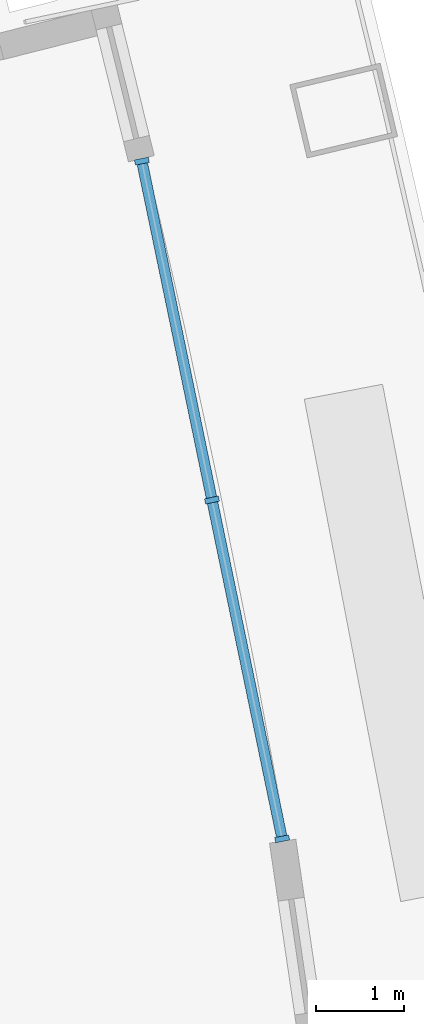
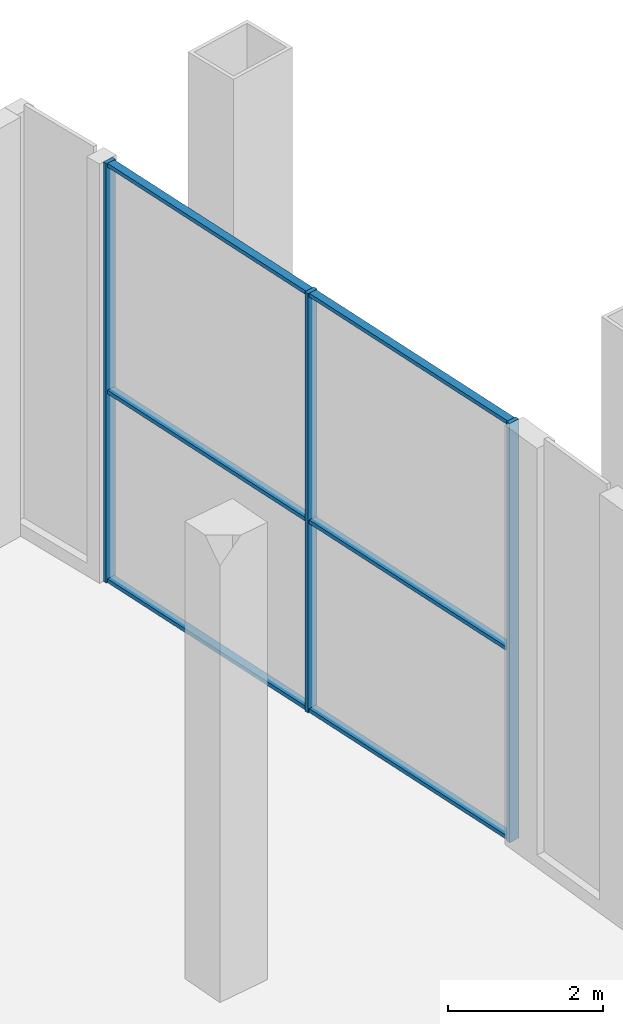
# One storey, part 11 of 24: 9 members, 1 element without a shape of its own.
"""IFC4 building model written with IfcOpenShell, lengths in metres."""

from ifc_helpers import new_model, si_unit, direction, frame, origin, origin_2d, place, context, subcontext, project, spatial, rectangle, extrude, material, layer, layer_set, material_profile, profile_set, type_object, element, aggregate, save


model = new_model("IFC4")

# Units and contexts
model_context = context("Model", 3, precision=1e-05, world=origin(), true_north=direction((0.0, 1.0)))
body_context = subcontext(model_context, "Body", "Model", "MODEL_VIEW")
ifc_project = project(units=[si_unit("LENGTHUNIT", "METRE"), si_unit("AREAUNIT", "SQUARE_METRE"), si_unit("VOLUMEUNIT", "CUBIC_METRE"), si_unit("PLANEANGLEUNIT", "RADIAN"), si_unit("MASSUNIT", "GRAM", prefix="KILO")], contexts=[model_context])

# Site, building, storey
site_placement = place(None, origin())
site = spatial("IfcSite", under=ifc_project, at=site_placement, CompositionType="ELEMENT")
building_placement = place(site_placement, origin())
building = spatial("IfcBuilding", under=site, at=building_placement, Name="Alderwake Tower", CompositionType="ELEMENT")
storey_placement = place(building_placement, frame((0.0, 0.0, 232.39990234375)))
storey = spatial("IfcBuildingStorey", under=building, at=storey_placement, Name="L58", CompositionType="ELEMENT", Elevation=232.39990234375)

# Curtain wall, members
ifc_material_1 = material(Name="Bronze tinted glass in aluminium frame", Category="aluminium")
ifc_layer = layer(ifc_material_1, 0.199951171875)
ifc_layer_set = layer_set([ifc_layer], Name="Curtain wall CW3 sky garden glazing")
curtain_wall_type = type_object("IfcCurtainWallType", Name="Curtain wall CW3 sky garden glazing", PredefinedType="NOTDEFINED", material=ifc_layer_set)
curtain_wall_placement = place(storey_placement, origin())
curtain_wall = element("IfcCurtainWall", 1, at=curtain_wall_placement, inside=storey, type_object=curtain_wall_type, Name="Curtain wall 7", PredefinedType="NOTDEFINED")
ifc_material_2 = material(Name="Aluminium bronze anodised", Category="aluminium")
ifc_material_profile_1 = material_profile(ifc_material_2, rectangle(XDim=0.159912109375, YDim=0.06005859375, at=origin_2d()), Name="Mullion MUC 60x160")
ifc_profile_set_1 = profile_set([ifc_material_profile_1], Name="Aluminium bronze anodised")
member_type_1 = type_object("IfcMemberType", Name="Mullion MUC 60x160", PredefinedType="MULLION", material=ifc_profile_set_1)
member_1_placement = place(storey_placement, frame((52.9814453125, 84.541259765625, 0.0), z_axis=(0.0, 0.0, 1.0), x_axis=(-0.979228543128, -0.202759612163, 0.0)))
member_1 = element("IfcMember", 2, at=member_1_placement, type_object=member_type_1, Name="CW.07 mullion 1", PredefinedType="MULLION", context=body_context, shape_type="SweptSolid", body=[
    extrude(rectangle(XDim=0.159912109375, YDim=0.06005859375, at=origin_2d()), origin(), (0.0, 0.0, 1.0), 6.60009765625),
])
member_2_placement = place(storey_placement, frame((52.188720703125, 88.369873046875, 0.0), z_axis=(0.0, 0.0, 1.0), x_axis=(-0.979228543128, -0.202759612163, 0.0)))
member_2 = element("IfcMember", 3, at=member_2_placement, type_object=member_type_1, Name="CW.07 mullion 2", PredefinedType="MULLION", context=body_context, shape_type="SweptSolid", body=[
    extrude(rectangle(XDim=0.159912109375, YDim=0.06005859375, at=origin_2d()), origin(), (0.0, 0.0, 1.0), 6.60009765625),
])
member_3_placement = place(storey_placement, frame((51.39599609375, 92.19873046875, 0.0), z_axis=(0.0, 0.0, 1.0), x_axis=(-0.979228543128, -0.202759612163, 0.0)))
member_3 = element("IfcMember", 4, at=member_3_placement, type_object=member_type_1, Name="CW.07 mullion 3", PredefinedType="MULLION", context=body_context, shape_type="SweptSolid", body=[
    extrude(rectangle(XDim=0.159912109375, YDim=0.06005859375, at=origin_2d()), origin(), (0.0, 0.0, 1.0), 6.60009765625),
])
ifc_material_3 = material(Name="Aluminium bronze anodised", Category="aluminium")
ifc_material_profile_2 = material_profile(ifc_material_3, rectangle(XDim=0.1201171875, YDim=0.06005859375, at=origin_2d()), Name="Transom TRC 60x120")
ifc_profile_set_2 = profile_set([ifc_material_profile_2], Name="Aluminium bronze anodised")
member_type_2 = type_object("IfcMemberType", Name="Transom TRC 60x120", PredefinedType="USERDEFINED", material=ifc_profile_set_2)
member_4_placement = place(storey_placement, frame((52.975341796875, 84.570556640625, 0.030029296875), z_axis=(-0.202733514267, 0.97923394661, 0.0), x_axis=(-0.97923394661, -0.202733514267, 0.0)))
member_4 = element("IfcMember", 5, at=member_4_placement, type_object=member_type_2, Name="CW.07 transom 1.1", ObjectType="TRANSOM", PredefinedType="USERDEFINED", context=body_context, shape_type="SweptSolid", body=[
    extrude(rectangle(XDim=0.1201171875, YDim=0.06005859375, at=origin_2d()), origin(), (0.0, 0.0, 1.0), 3.849853515625),
])
member_5_placement = place(storey_placement, frame((52.975341796875, 84.570556640625, 3.0), z_axis=(-0.202733514267, 0.97923394661, 0.0), x_axis=(-0.97923394661, -0.202733514267, 0.0)))
member_5 = element("IfcMember", 6, at=member_5_placement, type_object=member_type_2, Name="CW.07 transom 1.2", ObjectType="TRANSOM", PredefinedType="USERDEFINED", context=body_context, shape_type="SweptSolid", body=[
    extrude(rectangle(XDim=0.1201171875, YDim=0.06005859375, at=origin_2d()), origin(), (0.0, 0.0, 1.0), 3.849853515625),
])
member_6_placement = place(storey_placement, frame((52.975341796875, 84.570556640625, 6.570068359375), z_axis=(-0.202733514267, 0.97923394661, 0.0), x_axis=(-0.97923394661, -0.202733514267, 0.0)))
member_6 = element("IfcMember", 7, at=member_6_placement, type_object=member_type_2, Name="CW.07 transom 1.3", ObjectType="TRANSOM", PredefinedType="USERDEFINED", context=body_context, shape_type="SweptSolid", body=[
    extrude(rectangle(XDim=0.1201171875, YDim=0.06005859375, at=origin_2d()), origin(), (0.0, 0.0, 1.0), 3.849853515625),
])
member_7_placement = place(storey_placement, frame((52.1826171875, 88.3994140625, 0.030029296875), z_axis=(-0.202746104139, 0.979231340009, 0.0), x_axis=(-0.979231340009, -0.202746104139, 0.0)))
member_7 = element("IfcMember", 8, at=member_7_placement, type_object=member_type_2, Name="CW.07 transom 2.1", ObjectType="TRANSOM", PredefinedType="USERDEFINED", context=body_context, shape_type="SweptSolid", body=[
    extrude(rectangle(XDim=0.1201171875, YDim=0.06005859375, at=origin_2d()), origin(), (0.0, 0.0, 1.0), 3.849609375),
])
member_8_placement = place(storey_placement, frame((52.1826171875, 88.3994140625, 3.0), z_axis=(-0.202746104139, 0.979231340009, 0.0), x_axis=(-0.979231340009, -0.202746104139, 0.0)))
member_8 = element("IfcMember", 9, at=member_8_placement, type_object=member_type_2, Name="CW.07 transom 2.2", ObjectType="TRANSOM", PredefinedType="USERDEFINED", context=body_context, shape_type="SweptSolid", body=[
    extrude(rectangle(XDim=0.1201171875, YDim=0.06005859375, at=origin_2d()), origin(), (0.0, 0.0, 1.0), 3.849609375),
])
member_9_placement = place(storey_placement, frame((52.1826171875, 88.3994140625, 6.570068359375), z_axis=(-0.202746104139, 0.979231340009, 0.0), x_axis=(-0.979231340009, -0.202746104139, 0.0)))
member_9 = element("IfcMember", 10, at=member_9_placement, type_object=member_type_2, Name="CW.07 transom 2.3", ObjectType="TRANSOM", PredefinedType="USERDEFINED", context=body_context, shape_type="SweptSolid", body=[
    extrude(rectangle(XDim=0.1201171875, YDim=0.06005859375, at=origin_2d()), origin(), (0.0, 0.0, 1.0), 3.849609375),
])
aggregate(curtain_wall, [member_1, member_2, member_3, member_4, member_5, member_6, member_7, member_8, member_9])

save(model, "model.ifc")
